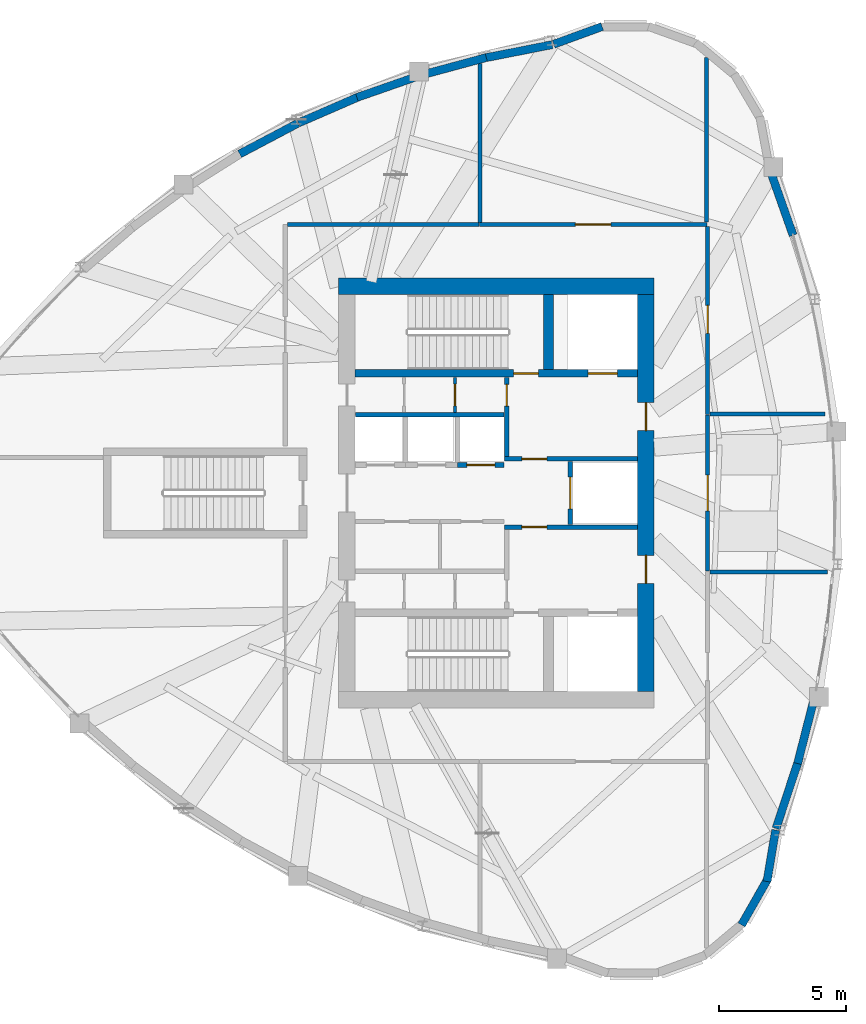
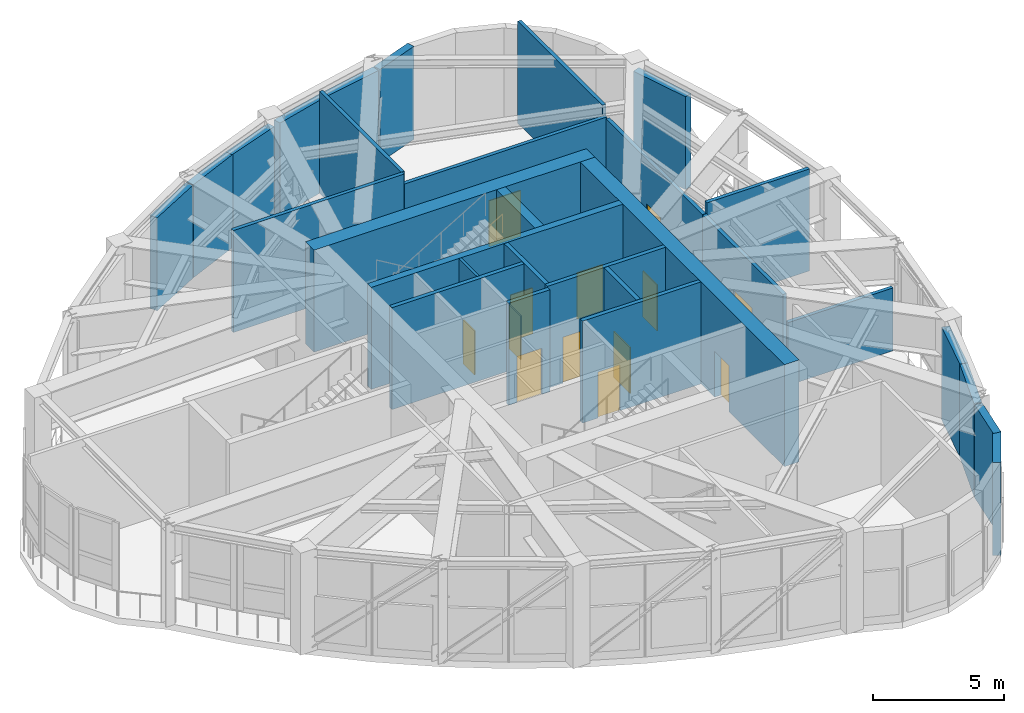
# One storey, part 6 of 10: 30 walls, 13 doors, 13 openings.
"""IFC4 building model written with IfcOpenShell, lengths in metres."""

from ifc_helpers import new_model, si_unit, direction, frame, frame_2d, origin, place, context, subcontext, project, spatial, rectangle, extrude, source, transform, mapped, material, layer, layer_set, type_object, element, fill, save


model = new_model("IFC4")

# Units and contexts
model_context = context("Model", 3, precision=1e-05, world=origin(), true_north=direction((0.0, 1.0)))
body_context = subcontext(model_context, "Body", "Model", "MODEL_VIEW")
ifc_project = project(units=[si_unit("LENGTHUNIT", "METRE"), si_unit("AREAUNIT", "SQUARE_METRE"), si_unit("VOLUMEUNIT", "CUBIC_METRE"), si_unit("PLANEANGLEUNIT", "RADIAN"), si_unit("MASSUNIT", "GRAM", prefix="KILO")], contexts=[model_context])

# Site, building, storey
site_placement = place(None, origin())
site = spatial("IfcSite", under=ifc_project, at=site_placement, CompositionType="ELEMENT")
building_placement = place(site_placement, origin())
building = spatial("IfcBuilding", under=site, at=building_placement, Name="Qafzar Sky-Pleat Residences", CompositionType="ELEMENT")
storey_placement = place(building_placement, frame((0.0, 0.0, 190.60009765625)))
storey = spatial("IfcBuildingStorey", under=building, at=storey_placement, Name="L57", CompositionType="ELEMENT", Elevation=190.60009765625)

# Wall, opening, door
ifc_material_1 = material(Name="Acoustic gypsum plasterboard partition", Category="gypsum")
ifc_layer_1 = layer(ifc_material_1, 0.159912109375)
ifc_layer_set_1 = layer_set([ifc_layer_1], Name="Acoustic gypsum plasterboard partition")
wall_type_1 = type_object("IfcWallType", Name="PART-COR-160", PredefinedType="PARTITIONING", material=ifc_layer_set_1)
wall_1_placement = place(storey_placement, frame((29.68505859375, 36.550048828125, 0.0), z_axis=(0.0, 0.0, 1.0), x_axis=(1.0, 0.0, 0.0)))
wall_1 = element("IfcWall", 1, at=wall_1_placement, inside=storey, type_object=wall_type_1, Name="L57 Partition Wall PART-L57-PW-001", PredefinedType="PARTITIONING", context=body_context, shape_type="SweptSolid", body=[
    extrude(rectangle(XDim=8.929931640625, YDim=0.159912109375, at=frame_2d((4.46484375, 0.0))), origin(), (0.0, 0.0, 1.0), 4.287841796875),
])
opening_1_placement = place(wall_1_placement, frame((3.764892578125, 0.0, 0.0)))
opening_1 = element("IfcOpeningElement", 2, at=opening_1_placement, cuts=wall_1, Name="Opening ID-10", PredefinedType="OPENING", context=body_context, shape_type="SweptSolid", body=[
    extrude(rectangle(XDim=1.39990234375, YDim=2.14990234375, at=frame_2d((0.699951171875, 1.074951171875))), frame((0.0, 0.08984375, 0.0), z_axis=(0.0, -1.0, 0.0), x_axis=(1.0, 0.0, 0.0)), (0.0, 0.0, 1.0), 0.179931640625),
])
ifc_material_2 = material(Name="Timber-faced fire door", Category="wood")
door_type_1 = type_object("IfcDoorType", Name="DR-PLANT-1400", OperationType="DOUBLE_DOOR_SINGLE_SWING", PredefinedType="DOOR", material=ifc_material_2)
shared_shape_1 = source(origin(), body_context, "Body", "SweptSolid", [
    extrude(rectangle(XDim=1.39990234375, YDim=2.14990234375, at=frame_2d((0.699951171875, 1.074951171875))), frame((0.0, 0.02490234375, 0.0), z_axis=(0.0, -1.0, 0.0), x_axis=(1.0, 0.0, 0.0)), (0.0, 0.0, 1.0), 0.050048828125),
])
door_1_placement = place(opening_1_placement, origin())
door_1 = element("IfcDoor", 3, at=door_1_placement, inside=storey, type_object=door_type_1, Name="L57 Domestic Booster and Fire Pump Plant Room Door", OperationType="DOUBLE_DOOR_SINGLE_SWING", OverallHeight=2.14990234375, OverallWidth=1.39990234375, PredefinedType="DOOR", context=body_context, shape_type="MappedRepresentation", body=[
    mapped(shared_shape_1, transform((0.0, 0.0, 0.0), x_axis=(1.0, 0.0, 0.0), y_axis=(0.0, 1.0, 0.0), z_axis=(0.0, 0.0, 1.0), scale=1.0)),
])
fill(opening_1, door_1)

wall_2_placement = place(storey_placement, frame((38.64990234375, 36.4619140625, 0.0), z_axis=(0.0, 0.0, 1.0), x_axis=(0.0, -1.0, 0.0)))
wall_2 = element("IfcWall", 4, at=wall_2_placement, inside=storey, type_object=wall_type_1, Name="L57 Partition Wall PART-L57-PW-006", PredefinedType="PARTITIONING", context=body_context, shape_type="SweptSolid", body=[
    extrude(rectangle(XDim=7.376953125, YDim=0.159912109375, at=frame_2d((3.6884765625, 0.0))), origin(), (0.0, 0.0, 1.0), 4.227783203125),
])
opening_2_placement = place(wall_2_placement, frame((3.0869140625, 0.0, 0.0)))
opening_2 = element("IfcOpeningElement", 5, at=opening_2_placement, cuts=wall_2, Name="Opening ID-02", PredefinedType="OPENING", context=body_context, shape_type="SweptSolid", body=[
    extrude(rectangle(XDim=1.10009765625, YDim=2.14990234375, at=frame_2d((0.550048828125, 1.074951171875))), frame((0.0, 0.08984375, 0.0), z_axis=(0.0, -1.0, 0.0), x_axis=(1.0, 0.0, 0.0)), (0.0, 0.0, 1.0), 0.179931640625),
])
door_type_2 = type_object("IfcDoorType", Name="DR-FFL-1100", OperationType="NOTDEFINED", PredefinedType="DOOR", material=ifc_material_2)
shared_shape_2 = source(origin(), body_context, "Body", "SweptSolid", [
    extrude(rectangle(XDim=1.10009765625, YDim=2.14990234375, at=frame_2d((0.550048828125, 1.074951171875))), frame((0.0, 0.02490234375, 0.0), z_axis=(0.0, -1.0, 0.0), x_axis=(1.0, 0.0, 0.0)), (0.0, 0.0, 1.0), 0.050048828125),
])
door_2_placement = place(opening_2_placement, origin())
door_2 = element("IfcDoor", 6, at=door_2_placement, inside=storey, type_object=door_type_2, Name="L57 Refuge Area North Door", OperationType="SINGLE_SWING_LEFT", OverallHeight=2.14990234375, OverallWidth=1.10009765625, PredefinedType="DOOR", context=body_context, shape_type="MappedRepresentation", body=[
    mapped(shared_shape_2, transform((0.0, 0.0, 0.0), x_axis=(1.0, 0.0, 0.0), y_axis=(0.0, 1.0, 0.0), z_axis=(0.0, 0.0, 1.0), scale=1.0)),
])
fill(opening_2, door_2)

wall_3_placement = place(storey_placement, frame((38.64990234375, 29.070068359375, 0.0), z_axis=(0.0, 0.0, 1.0), x_axis=(0.0, -1.0, 0.0)))
wall_3 = element("IfcWall", 7, at=wall_3_placement, inside=storey, type_object=wall_type_1, Name="L57 Partition Wall PART-L57-PW-007", PredefinedType="PARTITIONING", context=body_context, shape_type="SweptSolid", body=[
    extrude(rectangle(XDim=6.14013671875, YDim=0.159912109375, at=frame_2d((3.070068359375, 0.0))), origin(), (0.0, 0.0, 1.0), 4.227783203125),
])
opening_3_placement = place(wall_3_placement, frame((2.3701171875, 0.0, 0.0)))
opening_3 = element("IfcOpeningElement", 8, at=opening_3_placement, cuts=wall_3, Name="Opening ID-10", PredefinedType="OPENING", context=body_context, shape_type="SweptSolid", body=[
    extrude(rectangle(XDim=1.39990234375, YDim=2.14990234375, at=frame_2d((0.699951171875, 1.074951171875))), frame((0.0, 0.08984375, 0.0), z_axis=(0.0, -1.0, 0.0), x_axis=(1.0, 0.0, 0.0)), (0.0, 0.0, 1.0), 0.179931640625),
])
door_3_placement = place(opening_3_placement, origin())
door_3 = element("IfcDoor", 9, at=door_3_placement, inside=storey, type_object=door_type_1, Name="L57 Pressurization and Smoke Extract Plant Door", OperationType="DOUBLE_DOOR_SINGLE_SWING", OverallHeight=2.14990234375, OverallWidth=1.39990234375, PredefinedType="DOOR", context=body_context, shape_type="MappedRepresentation", body=[
    mapped(shared_shape_1, transform((0.0, 0.0, 0.0), x_axis=(1.0, 0.0, 0.0), y_axis=(0.0, 1.0, 0.0), z_axis=(0.0, 0.0, 1.0), scale=1.0)),
])
fill(opening_3, door_3)

# Walls
wall_4_placement = place(storey_placement, frame((22.137939453125, 36.550048828125, 0.0), z_axis=(0.0, 0.0, 1.0), x_axis=(1.0, 0.0, 0.0)))
element("IfcWall", 10, at=wall_4_placement, inside=storey, type_object=wall_type_1, Name="L57 Partition Wall PART-L57-PW-008", PredefinedType="PARTITIONING", context=body_context, shape_type="SweptSolid", body=[
    extrude(rectangle(XDim=7.531982421875, YDim=0.159912109375, at=frame_2d((3.76611328125, 0.0))), origin(), (0.0, 0.0, 1.0), 4.760009765625),
])
wall_5_placement = place(storey_placement, frame((38.60009765625, 36.653076171875, 0.0), z_axis=(0.0, 0.0, 1.0), x_axis=(0.0, 1.0, 0.0)))
element("IfcWall", 11, at=wall_5_placement, inside=storey, type_object=wall_type_1, Name="L57 Partition Wall PART-L57-PW-013", PredefinedType="PARTITIONING", context=body_context, shape_type="SweptSolid", body=[
    extrude(rectangle(XDim=6.467529296875, YDim=0.159912109375, at=frame_2d((3.23388671875, 0.0))), origin(), (0.0, 0.0, 1.0), 4.760009765625),
])
wall_6_placement = place(storey_placement, frame((29.699951171875, 36.637939453125, 0.0), z_axis=(0.0, 0.0, 1.0), x_axis=(0.0, 1.0, 0.0)))
element("IfcWall", 12, at=wall_6_placement, inside=storey, type_object=wall_type_1, Name="L57 Partition Wall PART-L57-PW-014", PredefinedType="PARTITIONING", context=body_context, shape_type="SweptSolid", body=[
    extrude(rectangle(XDim=6.22900390625, YDim=0.159912109375, at=frame_2d((3.114501953125, 0.0))), origin(), (0.0, 0.0, 1.0), 4.760009765625),
])
wall_7_placement = place(storey_placement, frame((38.738037109375, 22.89990234375, 0.0), z_axis=(0.0, 0.0, 1.0), x_axis=(1.0, 0.0, 0.0)))
element("IfcWall", 13, at=wall_7_placement, inside=storey, type_object=wall_type_1, Name="L57 Partition Wall PART-L57-PW-015", PredefinedType="PARTITIONING", context=body_context, shape_type="SweptSolid", body=[
    extrude(rectangle(XDim=4.626953125, YDim=0.159912109375, at=frame_2d((2.3134765625, 0.0))), origin(), (0.0, 0.0, 1.0), 2.927978515625),
])
wall_8_placement = place(storey_placement, frame((38.738037109375, 29.10009765625, 0.0), z_axis=(0.0, 0.0, 1.0), x_axis=(1.0, 0.0, 0.0)))
element("IfcWall", 14, at=wall_8_placement, inside=storey, type_object=wall_type_1, Name="L57 Partition Wall PART-L57-PW-016", PredefinedType="PARTITIONING", context=body_context, shape_type="SweptSolid", body=[
    extrude(rectangle(XDim=4.52099609375, YDim=0.159912109375, at=frame_2d((2.260498046875, 0.0))), origin(), (0.0, 0.0, 1.0), 4.760009765625),
])

# Wall, opening, door
ifc_material_3 = material(Name="Concrete blockwork partition", Category="masonry")
ifc_layer_2 = layer(ifc_material_3, 0.179931640625)
ifc_layer_set_2 = layer_set([ifc_layer_2], Name="Concrete blockwork partition")
wall_type_2 = type_object("IfcWallType", Name="PART-SHAFT-180", PredefinedType="PARTITIONING", material=ifc_layer_set_2)
wall_9_placement = place(storey_placement, frame((30.669921875, 24.659912109375, 0.0), z_axis=(0.0, 0.0, 1.0), x_axis=(1.0, 0.0, 0.0)))
wall_9 = element("IfcWall", 15, at=wall_9_placement, inside=storey, type_object=wall_type_2, Name="L57 Partition Wall PART-L57-FFL1-N", PredefinedType="PARTITIONING", context=body_context, shape_type="SweptSolid", body=[
    extrude(rectangle(XDim=5.219970703125, YDim=0.179931640625, at=frame_2d((2.60986328125, 0.0))), origin(), (0.0, 0.0, 1.0), 4.760009765625),
])
opening_4_placement = place(wall_9_placement, frame((0.679931640625, 0.0, 0.0)))
opening_4 = element("IfcOpeningElement", 16, at=opening_4_placement, cuts=wall_9, Name="Opening ID-01", PredefinedType="OPENING", context=body_context, shape_type="SweptSolid", body=[
    extrude(rectangle(XDim=0.97998046875, YDim=2.14990234375, at=frame_2d((0.489990234375, 1.074951171875))), frame((0.0, 0.10009765625, 0.0), z_axis=(0.0, -1.0, 0.0), x_axis=(1.0, 0.0, 0.0)), (0.0, 0.0, 1.0), 0.199951171875),
])
door_type_3 = type_object("IfcDoorType", Name="DR-STAIR-980", OperationType="NOTDEFINED", PredefinedType="DOOR", material=ifc_material_2)
shared_shape_3 = source(origin(), body_context, "Body", "SweptSolid", [
    extrude(rectangle(XDim=0.97998046875, YDim=2.14990234375, at=frame_2d((0.489990234375, 1.074951171875))), frame((0.0, 0.02490234375, 0.0), z_axis=(0.0, -1.0, 0.0), x_axis=(1.0, 0.0, 0.0)), (0.0, 0.0, 1.0), 0.050048828125),
])
door_4_placement = place(opening_4_placement, origin())
door_4 = element("IfcDoor", 17, at=door_4_placement, inside=storey, type_object=door_type_3, Name="L57 Lift Lobby to South Firefighting Lobby Door", OperationType="SINGLE_SWING_LEFT", OverallHeight=2.14990234375, OverallWidth=0.97998046875, PredefinedType="DOOR", context=body_context, shape_type="MappedRepresentation", body=[
    mapped(shared_shape_3, transform((0.0, 0.0, 0.0), x_axis=(1.0, 0.0, 0.0), y_axis=(0.0, 1.0, 0.0), z_axis=(0.0, 0.0, 1.0), scale=1.0)),
])
fill(opening_4, door_4)

wall_10_placement = place(storey_placement, frame((30.75, 27.429931640625, 0.0), z_axis=(0.0, 0.0, 1.0), x_axis=(0.0, 1.0, 0.0)))
wall_10 = element("IfcWall", 18, at=wall_10_placement, inside=storey, type_object=wall_type_2, Name="L57 Partition Wall PART-L57-FFL2-W", PredefinedType="PARTITIONING", context=body_context, shape_type="SweptSolid", body=[
    extrude(rectangle(XDim=3.110107421875, YDim=0.179931640625, at=frame_2d((1.55517578125, 0.0))), origin(), (0.0, 0.0, 1.0), 4.760009765625),
])
opening_5_placement = place(wall_10_placement, frame((1.97998046875, 0.0, 0.0)))
opening_5 = element("IfcOpeningElement", 19, at=opening_5_placement, cuts=wall_10, Name="Opening ID-09", PredefinedType="OPENING", context=body_context, shape_type="SweptSolid", body=[
    extrude(rectangle(XDim=0.860107421875, YDim=2.050048828125, at=frame_2d((0.43017578125, 1.02490234375))), frame((0.0, 0.10009765625, 0.0), z_axis=(0.0, -1.0, 0.0), x_axis=(1.0, 0.0, 0.0)), (0.0, 0.0, 1.0), 0.199951171875),
])
door_type_4 = type_object("IfcDoorType", Name="DR-SVC-860", OperationType="NOTDEFINED", PredefinedType="DOOR", material=ifc_material_2)
shared_shape_4 = source(origin(), body_context, "Body", "SweptSolid", [
    extrude(rectangle(XDim=0.860107421875, YDim=2.050048828125, at=frame_2d((0.43017578125, 1.02490234375))), frame((0.0, 0.02490234375, 0.0), z_axis=(0.0, -1.0, 0.0), x_axis=(1.0, 0.0, 0.0)), (0.0, 0.0, 1.0), 0.050048828125),
])
door_5_placement = place(opening_5_placement, origin())
door_5 = element("IfcDoor", 20, at=door_5_placement, inside=storey, type_object=door_type_4, Name="L57 North Core Cupboard Door", OperationType="SINGLE_SWING_RIGHT", OverallHeight=2.050048828125, OverallWidth=0.860107421875, PredefinedType="DOOR", context=body_context, shape_type="MappedRepresentation", body=[
    mapped(shared_shape_4, transform((0.0, 0.0, 0.0), x_axis=(1.0, 0.0, 0.0), y_axis=(0.0, 1.0, 0.0), z_axis=(0.0, 0.0, 1.0), scale=1.0)),
])
fill(opening_5, door_5)

wall_11_placement = place(storey_placement, frame((30.669921875, 27.340087890625, 0.0), z_axis=(0.0, 0.0, 1.0), x_axis=(1.0, 0.0, 0.0)))
wall_11 = element("IfcWall", 21, at=wall_11_placement, inside=storey, type_object=wall_type_2, Name="L57 Partition Wall PART-L57-FFL2-S", PredefinedType="PARTITIONING", context=body_context, shape_type="SweptSolid", body=[
    extrude(rectangle(XDim=5.219970703125, YDim=0.179931640625, at=frame_2d((2.60986328125, 0.0))), origin(), (0.0, 0.0, 1.0), 4.760009765625),
])
opening_6_placement = place(wall_11_placement, frame((0.679931640625, 0.0, 0.0)))
opening_6 = element("IfcOpeningElement", 22, at=opening_6_placement, cuts=wall_11, Name="Opening ID-01", PredefinedType="OPENING", context=body_context, shape_type="SweptSolid", body=[
    extrude(rectangle(XDim=0.97998046875, YDim=2.14990234375, at=frame_2d((0.489990234375, 1.074951171875))), frame((0.0, 0.10009765625, 0.0), z_axis=(0.0, -1.0, 0.0), x_axis=(1.0, 0.0, 0.0)), (0.0, 0.0, 1.0), 0.199951171875),
])
door_6_placement = place(opening_6_placement, origin())
door_6 = element("IfcDoor", 23, at=door_6_placement, inside=storey, type_object=door_type_3, Name="L57 Lift Lobby to North Firefighting Lobby Door", OperationType="SINGLE_SWING_LEFT", OverallHeight=2.14990234375, OverallWidth=0.97998046875, PredefinedType="DOOR", context=body_context, shape_type="MappedRepresentation", body=[
    mapped(shared_shape_3, transform((0.0, 0.0, 0.0), x_axis=(1.0, 0.0, 0.0), y_axis=(0.0, 1.0, 0.0), z_axis=(0.0, 0.0, 1.0), scale=1.0)),
])
fill(opening_6, door_6)

wall_12_placement = place(storey_placement, frame((33.25, 24.760009765625, 0.0), z_axis=(0.0, 0.0, 1.0), x_axis=(0.0, 1.0, 0.0)))
wall_12 = element("IfcWall", 24, at=wall_12_placement, inside=storey, type_object=wall_type_2, Name="L57 Partition Wall PART-L57-SV1-W", PredefinedType="PARTITIONING", context=body_context, shape_type="SweptSolid", body=[
    extrude(rectangle(XDim=2.47998046875, YDim=0.179931640625, at=frame_2d((1.239990234375, 0.0))), origin(), (0.0, 0.0, 1.0), 4.760009765625),
])
opening_7_placement = place(wall_12_placement, frame((0.614990234375, 0.0, 0.0)))
opening_7 = element("IfcOpeningElement", 25, at=opening_7_placement, cuts=wall_12, Name="Opening LD-03", PredefinedType="OPENING", context=body_context, shape_type="SweptSolid", body=[
    extrude(rectangle(XDim=1.25, YDim=2.14990234375, at=frame_2d((0.625, 1.074951171875))), frame((0.0, 0.10009765625, 0.0), z_axis=(0.0, -1.0, 0.0), x_axis=(1.0, 0.0, 0.0)), (0.0, 0.0, 1.0), 0.199951171875),
])
ifc_material_4 = material(Name="Stainless steel sliding landing door", Category="steel")
door_type_5 = type_object("IfcDoorType", Name="DR-LIFT-SV", OperationType="DOUBLE_DOOR_SLIDING", PredefinedType="DOOR", material=ifc_material_4)
shared_shape_5 = source(origin(), body_context, "Body", "SweptSolid", [
    extrude(rectangle(XDim=1.25, YDim=2.14990234375, at=frame_2d((0.625, 1.074951171875))), frame((0.0, 0.02490234375, 0.0), z_axis=(0.0, -1.0, 0.0), x_axis=(1.0, 0.0, 0.0)), (0.0, 0.0, 1.0), 0.050048828125),
])
door_7_placement = place(opening_7_placement, origin())
door_7 = element("IfcDoor", 26, at=door_7_placement, inside=storey, type_object=door_type_5, Name="L57 Service Lift SV1 Landing Door", OperationType="DOUBLE_DOOR_SLIDING", OverallHeight=2.14990234375, OverallWidth=1.25, PredefinedType="DOOR", context=body_context, shape_type="MappedRepresentation", body=[
    mapped(shared_shape_5, transform((0.0, 0.0, 0.0), x_axis=(1.0, 0.0, 0.0), y_axis=(0.0, 1.0, 0.0), z_axis=(0.0, 0.0, 1.0), scale=1.0)),
])
fill(opening_7, door_7)

# Wall
wall_13_placement = place(storey_placement, frame((24.81005859375, 29.080078125, 0.0), z_axis=(0.0, 0.0, 1.0), x_axis=(1.0, 0.0, 0.0)))
element("IfcWall", 27, at=wall_13_placement, inside=storey, type_object=wall_type_2, Name="L57 Partition Wall PART-L57-P46-N", PredefinedType="PARTITIONING", context=body_context, shape_type="SweptSolid", body=[
    extrude(rectangle(XDim=5.83984375, YDim=0.179931640625, at=frame_2d((2.919921875, 0.0))), origin(), (0.0, 0.0, 1.0), 4.760009765625),
])

# Wall, opening, door
wall_14_placement = place(storey_placement, frame((28.824951171875, 27.10009765625, 0.0), z_axis=(0.0, 0.0, 1.0), x_axis=(1.0, 0.0, 0.0)))
wall_14 = element("IfcWall", 28, at=wall_14_placement, inside=storey, type_object=wall_type_2, Name="L57 Partition Wall PART-L57-P6-S", PredefinedType="PARTITIONING", context=body_context, shape_type="SweptSolid", body=[
    extrude(rectangle(XDim=1.824951171875, YDim=0.179931640625, at=frame_2d((0.91259765625, 0.0))), origin(), (0.0, 0.0, 1.0), 4.760009765625),
])
opening_8_placement = place(wall_14_placement, frame((0.362548828125, 0.0, 0.0)))
opening_8 = element("IfcOpeningElement", 29, at=opening_8_placement, cuts=wall_14, Name="Opening LD-01", PredefinedType="OPENING", context=body_context, shape_type="SweptSolid", body=[
    extrude(rectangle(XDim=1.10009765625, YDim=2.14990234375, at=frame_2d((0.550048828125, 1.074951171875))), frame((0.0, 0.10009765625, 0.0), z_axis=(0.0, -1.0, 0.0), x_axis=(1.0, 0.0, 0.0)), (0.0, 0.0, 1.0), 0.199951171875),
])
door_type_6 = type_object("IfcDoorType", Name="DR-LIFT-P", OperationType="DOUBLE_DOOR_SLIDING", PredefinedType="DOOR", material=ifc_material_4)
door_8_placement = place(opening_8_placement, origin())
door_8 = element("IfcDoor", 30, at=door_8_placement, inside=storey, type_object=door_type_6, Name="L57 Passenger Lift P6 Landing Door", OperationType="DOUBLE_DOOR_SLIDING", OverallHeight=2.14990234375, OverallWidth=1.10009765625, PredefinedType="DOOR", context=body_context, shape_type="MappedRepresentation", body=[
    mapped(shared_shape_2, transform((0.0, 0.0, 0.0), x_axis=(1.0, 0.0, 0.0), y_axis=(0.0, 1.0, 0.0), z_axis=(0.0, 0.0, 1.0), scale=1.0)),
])
fill(opening_8, door_8)

ifc_material_5 = material(Name="Gypsum plasterboard partition", Category="gypsum")
ifc_layer_3 = layer(ifc_material_5, 0.114990234375)
ifc_layer_set_3 = layer_set([ifc_layer_3], Name="Gypsum plasterboard partition")
wall_type_3 = type_object("IfcWallType", Name="PART-SVC-115", PredefinedType="PARTITIONING", material=ifc_layer_set_3)
wall_15_placement = place(storey_placement, frame((28.72509765625, 29.159912109375, 0.0), z_axis=(0.0, 0.0, 1.0), x_axis=(0.0, 1.0, 0.0)))
wall_15 = element("IfcWall", 31, at=wall_15_placement, inside=storey, type_object=wall_type_3, Name="L57 Partition Wall PART-L57-KC-NW-2", PredefinedType="PARTITIONING", context=body_context, shape_type="SweptSolid", body=[
    extrude(rectangle(XDim=1.380126953125, YDim=0.114990234375, at=frame_2d((0.68994140625, 0.0))), origin(), (0.0, 0.0, 1.0), 4.760009765625),
])
opening_9_placement = place(wall_15_placement, frame((0.260009765625, 0.0, 0.0)))
opening_9 = element("IfcOpeningElement", 32, at=opening_9_placement, cuts=wall_15, Name="Opening ID-09", PredefinedType="OPENING", context=body_context, shape_type="SweptSolid", body=[
    extrude(rectangle(XDim=0.860107421875, YDim=2.050048828125, at=frame_2d((0.43017578125, 1.02490234375))), frame((0.0, 0.0673828125, 0.0), z_axis=(0.0, -1.0, 0.0), x_axis=(1.0, 0.0, 0.0)), (0.0, 0.0, 1.0), 0.135009765625),
])
door_9_placement = place(opening_9_placement, origin())
door_9 = element("IfcDoor", 33, at=door_9_placement, inside=storey, type_object=door_type_4, Name="L57 Core North Cupboard 2 Door", OperationType="SINGLE_SWING_LEFT", OverallHeight=2.050048828125, OverallWidth=0.860107421875, PredefinedType="DOOR", context=body_context, shape_type="MappedRepresentation", body=[
    mapped(shared_shape_4, transform((0.0, 0.0, 0.0), x_axis=(1.0, 0.0, 0.0), y_axis=(0.0, 1.0, 0.0), z_axis=(0.0, 0.0, 1.0), scale=1.0)),
])
fill(opening_9, door_9)

# Walls
ifc_material_6 = material(Name="Precast concrete C40/50 with honed Riyadh limestone", Category="concrete")
ifc_layer_4 = layer(ifc_material_6, 0.320068359375)
ifc_layer_set_4 = layer_set([ifc_layer_4], Name="Precast concrete C40/50 with honed Riyadh limestone")
wall_type_4 = type_object("IfcWallType", Name="WALL-EXT-320", PredefinedType="SOLIDWALL", material=ifc_layer_set_4)
wall_16_placement = place(storey_placement, frame((39.980224609375, 9.025390625, 0.0), z_axis=(0.0, 0.0, 1.0), x_axis=(0.495714993308, 0.868485259178, 0.0)))
element("IfcWall", 34, at=wall_16_placement, inside=storey, type_object=wall_type_4, Name="L57 Limestone Facade Wall 21", PredefinedType="SOLIDWALL", context=body_context, shape_type="SweptSolid", body=[
    extrude(rectangle(XDim=2.10888671875, YDim=0.320068359375, at=frame_2d((1.054443359375, 0.0))), origin(), (0.0, 0.0, 1.0), 4.33984375),
])
wall_17_placement = place(storey_placement, frame((40.981689453125, 10.733642578125, 0.0), z_axis=(0.0, 0.0, 1.0), x_axis=(0.165711561454, 0.986174263708, 0.0)))
element("IfcWall", 35, at=wall_17_placement, inside=storey, type_object=wall_type_4, Name="L57 Limestone Facade Wall 22", PredefinedType="SOLIDWALL", context=body_context, shape_type="SweptSolid", body=[
    extrude(rectangle(XDim=2.05078125, YDim=0.320068359375, at=frame_2d((1.025390625, 0.0))), origin(), (0.0, 0.0, 1.0), 4.33984375),
])
wall_18_placement = place(storey_placement, frame((41.3369140625, 12.818603515625, 0.0), z_axis=(0.0, 0.0, 1.0), x_axis=(0.31443095402, 0.949280345922, 0.0)))
element("IfcWall", 36, at=wall_18_placement, inside=storey, type_object=wall_type_4, Name="L57 Limestone Facade Wall 23", PredefinedType="SOLIDWALL", context=body_context, shape_type="SweptSolid", body=[
    extrude(rectangle(XDim=2.772705078125, YDim=0.320068359375, at=frame_2d((1.38623046875, 0.0))), origin(), (0.0, 0.0, 1.0), 4.33984375),
])
wall_19_placement = place(storey_placement, frame((42.18408203125, 15.3671875, 0.0), z_axis=(0.0, 0.0, 1.0), x_axis=(0.247650778908, 0.968849364817, 0.0)))
element("IfcWall", 37, at=wall_19_placement, inside=storey, type_object=wall_type_4, Name="L57 Limestone Facade Wall 24", PredefinedType="SOLIDWALL", context=body_context, shape_type="SweptSolid", body=[
    extrude(rectangle(XDim=2.570068359375, YDim=0.320068359375, at=frame_2d((1.28515625, 0.0))), origin(), (0.0, 0.0, 1.0), 4.33984375),
])
wall_20_placement = place(storey_placement, frame((42.007568359375, 36.125732421875, 0.0), z_axis=(0.0, 0.0, 1.0), x_axis=(-0.332790959239, 0.94300062431, 0.0)))
element("IfcWall", 38, at=wall_20_placement, inside=storey, type_object=wall_type_4, Name="L57 Limestone Facade Wall 32", PredefinedType="SOLIDWALL", context=body_context, shape_type="SweptSolid", body=[
    extrude(rectangle(XDim=2.6279296875, YDim=0.320068359375, at=frame_2d((1.31396484375, 0.0))), origin(), (0.0, 0.0, 1.0), 4.33984375),
])
wall_21_placement = place(storey_placement, frame((34.50341796875, 44.3291015625, 0.0), z_axis=(0.0, 0.0, 1.0), x_axis=(-0.939387553708, -0.342857148007, 0.0)))
element("IfcWall", 39, at=wall_21_placement, inside=storey, type_object=wall_type_4, Name="L57 Limestone Facade Wall 38", PredefinedType="SOLIDWALL", context=body_context, shape_type="SweptSolid", body=[
    extrude(rectangle(XDim=2.02294921875, YDim=0.320068359375, at=frame_2d((1.011474609375, 0.0))), origin(), (0.0, 0.0, 1.0), 4.33984375),
])
wall_22_placement = place(storey_placement, frame((32.54052734375, 43.6181640625, 0.0), z_axis=(0.0, 0.0, 1.0), x_axis=(-0.981233088351, -0.192825377804, 0.0)))
element("IfcWall", 40, at=wall_22_placement, inside=storey, type_object=wall_type_4, Name="L57 Limestone Facade Wall 39", PredefinedType="SOLIDWALL", context=body_context, shape_type="SweptSolid", body=[
    extrude(rectangle(XDim=2.72607421875, YDim=0.320068359375, at=frame_2d((1.363037109375, 0.0))), origin(), (0.0, 0.0, 1.0), 4.33984375),
])
wall_23_placement = place(storey_placement, frame((29.950439453125, 43.1123046875, 0.0), z_axis=(0.0, 0.0, 1.0), x_axis=(-0.96543906005, -0.260628895806, 0.0)))
element("IfcWall", 41, at=wall_23_placement, inside=storey, type_object=wall_type_4, Name="L57 Limestone Facade Wall 40", PredefinedType="SOLIDWALL", context=body_context, shape_type="SweptSolid", body=[
    extrude(rectangle(XDim=2.5244140625, YDim=0.320068359375, at=frame_2d((1.26220703125, 0.0))), origin(), (0.0, 0.0, 1.0), 4.33984375),
])
wall_24_placement = place(storey_placement, frame((27.208984375, 42.360595703125, 0.0), z_axis=(0.0, 0.0, 1.0), x_axis=(-0.944111191945, -0.329627148829, 0.0)))
element("IfcWall", 42, at=wall_24_placement, inside=storey, type_object=wall_type_4, Name="L57 Limestone Facade Wall 41", PredefinedType="SOLIDWALL", context=body_context, shape_type="SweptSolid", body=[
    extrude(rectangle(XDim=2.481201171875, YDim=0.320068359375, at=frame_2d((1.24072265625, 0.0))), origin(), (0.0, 0.0, 1.0), 4.33984375),
])
wall_25_placement = place(storey_placement, frame((24.9482421875, 41.57470703125, 0.0), z_axis=(0.0, 0.0, 1.0), x_axis=(-0.917095460669, -0.398667676168, 0.0)))
element("IfcWall", 43, at=wall_25_placement, inside=storey, type_object=wall_type_4, Name="L57 Limestone Facade Wall 42", PredefinedType="SOLIDWALL", context=body_context, shape_type="SweptSolid", body=[
    extrude(rectangle(XDim=2.59716796875, YDim=0.320068359375, at=frame_2d((1.298583984375, 0.0))), origin(), (0.0, 0.0, 1.0), 4.33984375),
])
wall_26_placement = place(storey_placement, frame((22.54150390625, 40.52734375, 0.0), z_axis=(0.0, 0.0, 1.0), x_axis=(-0.884378248125, -0.466770944087, 0.0)))
element("IfcWall", 44, at=wall_26_placement, inside=storey, type_object=wall_type_4, Name="L57 Limestone Facade Wall 43", PredefinedType="SOLIDWALL", context=body_context, shape_type="SweptSolid", body=[
    extrude(rectangle(XDim=2.582275390625, YDim=0.320068359375, at=frame_2d((1.291015625, 0.0))), origin(), (0.0, 0.0, 1.0), 4.33984375),
])

# Wall, openings, doors
ifc_material_7 = material(Name="Concrete C60/75", Category="concrete")
ifc_layer_5 = layer(ifc_material_7, 0.300048828125)
ifc_layer_set_5 = layer_set([ifc_layer_5], Name="Concrete C60/75")
wall_type_5 = type_object("IfcWallType", Name="WALL-SHEAR-300", PredefinedType="SHEAR", material=ifc_layer_set_5)
wall_27_placement = place(storey_placement, frame((24.800048828125, 30.699951171875, 0.0), z_axis=(0.0, 0.0, 1.0), x_axis=(1.0, 0.0, 0.0)))
wall_27 = element("IfcWall", 45, at=wall_27_placement, inside=storey, type_object=wall_type_5, Name="L57 Stair ST2 and FF2 Shaft South Wall", PredefinedType="SHEAR", context=body_context, shape_type="SweptSolid", body=[
    extrude(rectangle(XDim=11.099853515625, YDim=0.300048828125, at=frame_2d((5.5498046875, 0.0))), origin(), (0.0, 0.0, 1.0), 4.760009765625),
])
opening_10_placement = place(wall_27_placement, frame((6.219970703125, 0.0, 0.0)))
opening_10 = element("IfcOpeningElement", 46, at=opening_10_placement, cuts=wall_27, Name="Opening ID-01", PredefinedType="OPENING", context=body_context, shape_type="SweptSolid", body=[
    extrude(rectangle(XDim=0.97998046875, YDim=2.14990234375, at=frame_2d((0.489990234375, 1.074951171875))), frame((0.0, 0.16015625, 0.0), z_axis=(0.0, -1.0, 0.0), x_axis=(1.0, 0.0, 0.0)), (0.0, 0.0, 1.0), 0.320068359375),
])
opening_11_placement = place(wall_27_placement, frame((9.14990234375, 0.0, 0.0)))
opening_11 = element("IfcOpeningElement", 47, at=opening_11_placement, cuts=wall_27, Name="Opening LD-02", PredefinedType="OPENING", context=body_context, shape_type="SweptSolid", body=[
    extrude(rectangle(XDim=1.14990234375, YDim=2.14990234375, at=frame_2d((0.574951171875, 1.074951171875))), frame((0.0, 0.16015625, 0.0), z_axis=(0.0, -1.0, 0.0), x_axis=(1.0, 0.0, 0.0)), (0.0, 0.0, 1.0), 0.320068359375),
])
door_10_placement = place(opening_10_placement, origin())
door_10 = element("IfcDoor", 48, at=door_10_placement, inside=storey, type_object=door_type_3, Name="L57 Stair ST2 Fire Door", OperationType="SINGLE_SWING_RIGHT", OverallHeight=2.14990234375, OverallWidth=0.97998046875, PredefinedType="DOOR", context=body_context, shape_type="MappedRepresentation", body=[
    mapped(shared_shape_3, transform((0.0, 0.0, 0.0), x_axis=(1.0, 0.0, 0.0), y_axis=(0.0, 1.0, 0.0), z_axis=(0.0, 0.0, 1.0), scale=1.0)),
])
fill(opening_10, door_10)
door_type_7 = type_object("IfcDoorType", Name="DR-LIFT-FF", OperationType="DOUBLE_DOOR_SLIDING", PredefinedType="DOOR", material=ifc_material_4)
shared_shape_6 = source(origin(), body_context, "Body", "SweptSolid", [
    extrude(rectangle(XDim=1.14990234375, YDim=2.14990234375, at=frame_2d((0.574951171875, 1.074951171875))), frame((0.0, 0.02490234375, 0.0), z_axis=(0.0, -1.0, 0.0), x_axis=(1.0, 0.0, 0.0)), (0.0, 0.0, 1.0), 0.050048828125),
])
door_11_placement = place(opening_11_placement, origin())
door_11 = element("IfcDoor", 49, at=door_11_placement, inside=storey, type_object=door_type_7, Name="L57 Firefighting Lift FF2 Landing Door", OperationType="DOUBLE_DOOR_SLIDING", OverallHeight=2.14990234375, OverallWidth=1.14990234375, PredefinedType="DOOR", context=body_context, shape_type="MappedRepresentation", body=[
    mapped(shared_shape_6, transform((0.0, 0.0, 0.0), x_axis=(1.0, 0.0, 0.0), y_axis=(0.0, 1.0, 0.0), z_axis=(0.0, 0.0, 1.0), scale=1.0)),
])
fill(opening_11, door_11)

# Walls
ifc_layer_6 = layer(ifc_material_7, 0.39990234375)
ifc_layer_set_6 = layer_set([ifc_layer_6], Name="Concrete C60/75")
wall_type_6 = type_object("IfcWallType", Name="WALL-SHEAR-400", PredefinedType="SHEAR", material=ifc_layer_set_6)
wall_28_placement = place(storey_placement, frame((32.39990234375, 30.85009765625, 0.0), z_axis=(0.0, 0.0, 1.0), x_axis=(0.0, 1.0, 0.0)))
element("IfcWall", 50, at=wall_28_placement, inside=storey, type_object=wall_type_6, Name="L57 Stair ST2 East Dividing Wall", PredefinedType="SHEAR", context=body_context, shape_type="SweptSolid", body=[
    extrude(rectangle(XDim=2.949951171875, YDim=0.39990234375, at=frame_2d((1.47509765625, 0.0))), origin(), (0.0, 0.0, 1.0), 4.760009765625),
])
ifc_layer_7 = layer(ifc_material_7, 0.64990234375)
ifc_layer_set_7 = layer_set([ifc_layer_7], Name="Concrete C60/75")
wall_type_7 = type_object("IfcWallType", Name="WALL-SHEAR-650", PredefinedType="SHEAR", material=ifc_layer_set_7)
wall_29_placement = place(storey_placement, frame((36.550048828125, 34.125, 0.0), z_axis=(0.0, 0.0, 1.0), x_axis=(-1.0, 0.0, 0.0)))
element("IfcWall", 51, at=wall_29_placement, inside=storey, type_object=wall_type_7, Name="L57 CORE wall N", PredefinedType="SHEAR", context=body_context, shape_type="SweptSolid", body=[
    extrude(rectangle(XDim=12.400146484375, YDim=0.64990234375, at=frame_2d((6.2001953125, 0.0))), origin(), (0.0, 0.0, 1.0), 4.760009765625),
])

# Wall, openings, doors
wall_30_placement = place(storey_placement, frame((36.22509765625, 18.199951171875, 0.0), z_axis=(0.0, 0.0, 1.0), x_axis=(0.0, 1.0, 0.0)))
wall_30 = element("IfcWall", 52, at=wall_30_placement, inside=storey, type_object=wall_type_7, Name="L57 CORE wall E", PredefinedType="SHEAR", context=body_context, shape_type="SweptSolid", body=[
    extrude(rectangle(XDim=15.60009765625, YDim=0.64990234375, at=frame_2d((7.800048828125, 0.0))), origin(), (0.0, 0.0, 1.0), 4.760009765625),
])
opening_12_placement = place(wall_30_placement, frame((4.25, 0.0, 0.0)))
opening_12 = element("IfcOpeningElement", 53, at=opening_12_placement, cuts=wall_30, Name="Opening ID-02", PredefinedType="OPENING", context=body_context, shape_type="SweptSolid", body=[
    extrude(rectangle(XDim=1.10009765625, YDim=2.14990234375, at=frame_2d((0.550048828125, 1.074951171875))), frame((0.0, 0.3349609375, 0.0), z_axis=(0.0, -1.0, 0.0), x_axis=(1.0, 0.0, 0.0)), (0.0, 0.0, 1.0), 0.669921875),
])
opening_13_placement = place(wall_30_placement, frame((10.25, 0.0, 0.0)))
opening_13 = element("IfcOpeningElement", 54, at=opening_13_placement, cuts=wall_30, Name="Opening ID-02", PredefinedType="OPENING", context=body_context, shape_type="SweptSolid", body=[
    extrude(rectangle(XDim=1.10009765625, YDim=2.14990234375, at=frame_2d((0.550048828125, 1.074951171875))), frame((0.0, 0.3349609375, 0.0), z_axis=(0.0, -1.0, 0.0), x_axis=(1.0, 0.0, 0.0)), (0.0, 0.0, 1.0), 0.669921875),
])
door_12_placement = place(opening_12_placement, origin())
door_12 = element("IfcDoor", 55, at=door_12_placement, inside=storey, type_object=door_type_2, Name="L57 Firefighting Lobby South Corridor Door", OperationType="SINGLE_SWING_RIGHT", OverallHeight=2.14990234375, OverallWidth=1.10009765625, PredefinedType="DOOR", context=body_context, shape_type="MappedRepresentation", body=[
    mapped(shared_shape_2, transform((0.0, 0.0, 0.0), x_axis=(1.0, 0.0, 0.0), y_axis=(0.0, 1.0, 0.0), z_axis=(0.0, 0.0, 1.0), scale=1.0)),
])
fill(opening_12, door_12)
door_13_placement = place(opening_13_placement, origin())
door_13 = element("IfcDoor", 56, at=door_13_placement, inside=storey, type_object=door_type_2, Name="L57 Firefighting Lobby North Corridor Door", OperationType="SINGLE_SWING_LEFT", OverallHeight=2.14990234375, OverallWidth=1.10009765625, PredefinedType="DOOR", context=body_context, shape_type="MappedRepresentation", body=[
    mapped(shared_shape_2, transform((0.0, 0.0, 0.0), x_axis=(1.0, 0.0, 0.0), y_axis=(0.0, 1.0, 0.0), z_axis=(0.0, 0.0, 1.0), scale=1.0)),
])
fill(opening_13, door_13)

save(model, "model.ifc")
